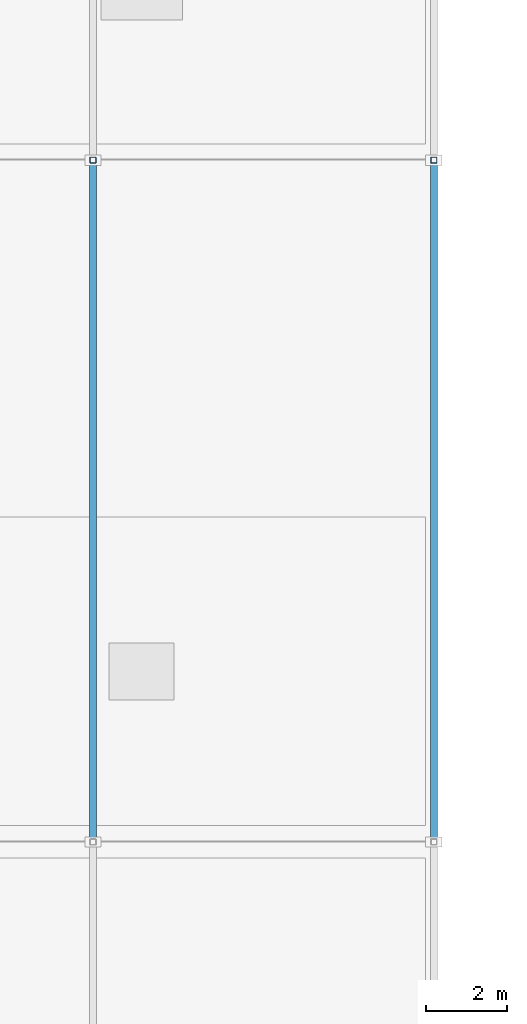
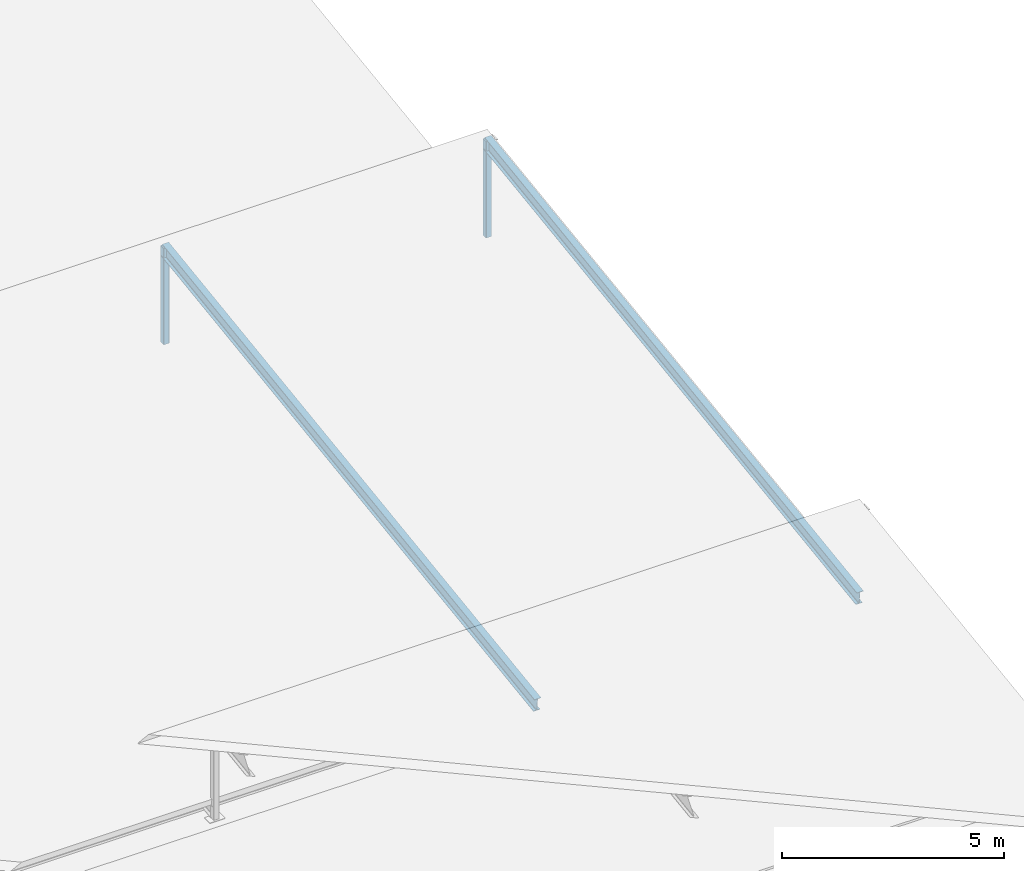
# One storey, part 4 of 12: 2 beams, 2 members.
"""IFC4 building model written with IfcOpenShell, lengths in metres."""

from ifc_helpers import new_model, si_unit, direction, frame, origin, origin_2d, place, context, subcontext, project, spatial, hollow_rectangle, i_section, extrude, material, material_profile, profile_set, type_object, element, save


model = new_model("IFC4")

# Units and contexts
model_context = context("Model", 3, precision=1e-05, world=origin(), true_north=direction((0.0, 1.0)))
body_context = subcontext(model_context, "Body", "Model", "MODEL_VIEW")
ifc_project = project(units=[si_unit("LENGTHUNIT", "METRE"), si_unit("AREAUNIT", "SQUARE_METRE"), si_unit("VOLUMEUNIT", "CUBIC_METRE"), si_unit("PLANEANGLEUNIT", "RADIAN"), si_unit("MASSUNIT", "GRAM", prefix="KILO")], contexts=[model_context])

# Site, building, storey
site_placement = place(None, origin())
site = spatial("IfcSite", under=ifc_project, at=site_placement, CompositionType="ELEMENT")
building_placement = place(site_placement, origin())
building = spatial("IfcBuilding", under=site, at=building_placement, Name="Varnapada Polytechnic", CompositionType="ELEMENT")
storey_placement = place(building_placement, frame((0.0, 0.0, 30.60009765625)))
storey = spatial("IfcBuildingStorey", under=building, at=storey_placement, Name="Roof", CompositionType="ELEMENT", Elevation=30.60009765625)

# Members
ifc_material = material(Name="Steel S355", Category="steel")
ifc_material_profile_1 = material_profile(ifc_material, hollow_rectangle(XDim=0.14990234375, YDim=0.14990234375, WallThickness=0.00634765625, InnerFilletRadius=0.006103515625, OuterFilletRadius=0.011962890625, at=origin_2d()), Name="SHS 150x150x6.3")
ifc_profile_set_1 = profile_set([ifc_material_profile_1], Name="Steel S355")
member_type = type_object("IfcMemberType", Name="Sawtooth north-light mullion post SFP-02 (SHS 150x150x6.3)", PredefinedType="POST", material=ifc_profile_set_1)
for number, where, z_axis, x_axis, name in (
    (1, (16.800048828125, 92.39990234375, -0.02001953125), (0.0, 0.0, 1.0), (1.0, 0.0, 0.0), "Studio sawtooth north-light post 2.3"),
    (2, (25.199951171875, 92.39990234375, -0.02001953125), (0.0, 0.0, 1.0), (1.0, 0.0, 0.0), "Studio sawtooth north-light post 2.4"),
):
    element("IfcMember", number, at=place(storey_placement, frame(where, z_axis=z_axis, x_axis=x_axis)), inside=storey, type_object=member_type, Name=name, PredefinedType="POST", context=body_context, shape_type="SweptSolid", body=[
        extrude(hollow_rectangle(XDim=0.14990234375, YDim=0.14990234375, WallThickness=0.00634765625, InnerFilletRadius=0.006103515625, OuterFilletRadius=0.011962890625, at=origin_2d()), origin(), (0.0, 0.0, 1.0), 2.64990234375),
    ])

# Beams
ifc_material_profile_2 = material_profile(ifc_material, i_section(OverallWidth=0.169921875, OverallDepth=0.360107421875, WebThickness=0.008056640625, FlangeThickness=0.0126953125, FilletRadius=0.01806640625, at=origin_2d()), Name="IPE 360")
ifc_profile_set_2 = profile_set([ifc_material_profile_2], Name="Steel S355")
beam_type = type_object("IfcBeamType", Name="Sawtooth studio roof rafter SB-03 (IPE 360)", PredefinedType="BEAM", material=ifc_profile_set_2)
for number, where, z_axis, x_axis, name in (
    (3, (16.800048828125, 75.60009765625, 0.18994140625), (0.0, 0.990277776684, 0.139104007868), (-1.0, 0.0, 0.0), "Studio sawtooth rafter 2.3"),
    (4, (25.199951171875, 75.60009765625, 0.18994140625), (0.0, 0.990277776684, 0.139104007868), (-1.0, 0.0, 0.0), "Studio sawtooth rafter 2.4"),
):
    element("IfcBeam", number, at=place(storey_placement, frame(where, z_axis=z_axis, x_axis=x_axis)), inside=storey, type_object=beam_type, Name=name, PredefinedType="BEAM", context=body_context, shape_type="SweptSolid", body=[
        extrude(i_section(OverallWidth=0.169921875, OverallDepth=0.360107421875, WebThickness=0.008056640625, FlangeThickness=0.0126953125, FilletRadius=0.01806640625, at=origin_2d()), origin(), (0.0, 0.0, 1.0), 16.96484375),
    ])

save(model, "model.ifc")
